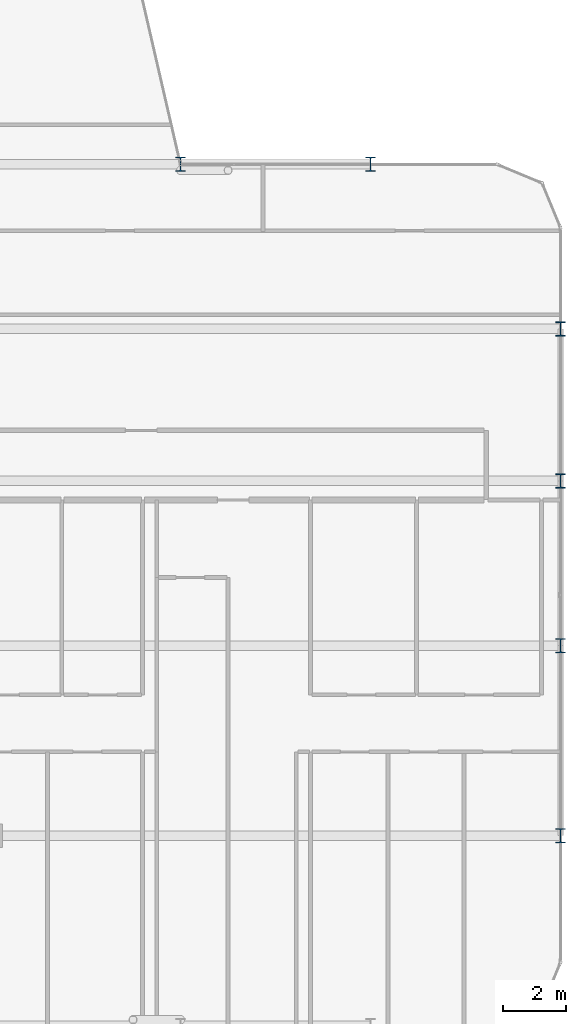
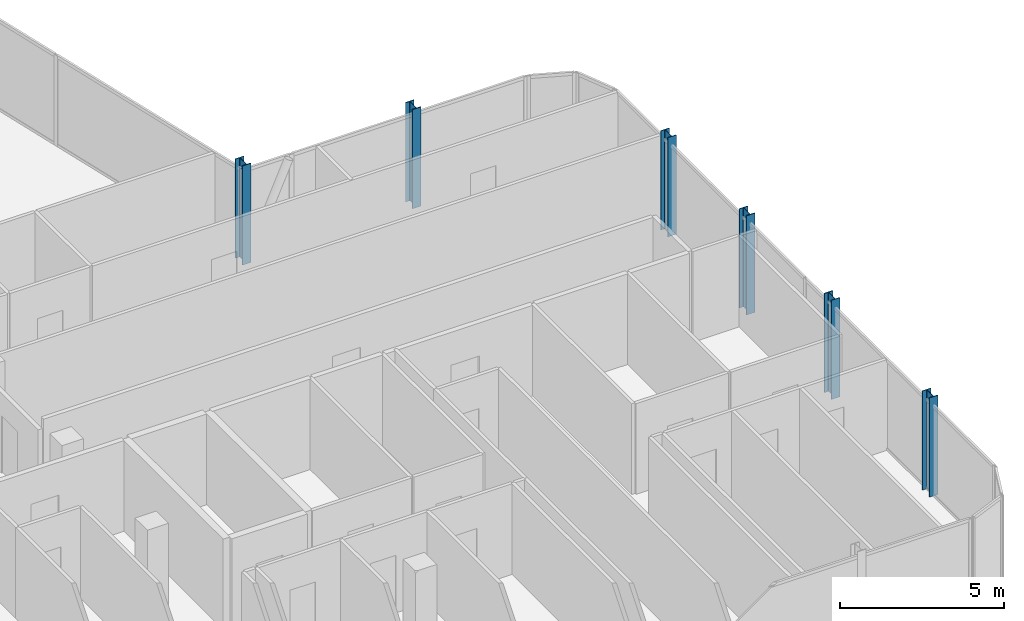
# One storey, part 2 of 29: 6 columns.
"""IFC4 building model written with IfcOpenShell, lengths in metres."""

import ifcopenshell
import ifcopenshell.guid

model = None  # the IFC model being written
_history = None  # IfcOwnerHistory: only IFC2X3 demands one
_inside = {}  # id of a spatial element -> (the spatial element, [elements in it])
_under = {}  # id of a project, library or spatial element -> (it, [spatial elements below it])
_declared = {}  # id of a project -> (the project, [libraries it declares])
_typed = {}  # id of a type object -> (the type object, [elements of that type])
_made_of = {}  # id of a material, layer set ... -> (it, [elements and type objects made of it])


def new_model(schema):
    """Start an empty IFC model of exactly this schema.

    Asked for "IFC4X3", IfcOpenShell would pick the latest addendum, in which some entities
    have other attributes; the version numbers below select the first issue.
    IFC2X3 requires an IfcOwnerHistory on every rooted entity: one is made here for all.
    """
    global model, _history
    if schema == "IFC4X3":
        model = ifcopenshell.file(schema_version=(4, 3, 0, 0))
    else:
        model = ifcopenshell.file(schema=schema)
    _inside.clear()
    _under.clear()
    _declared.clear()
    _typed.clear()
    _made_of.clear()
    _history = None
    if model.schema == "IFC2X3":
        org = make("IfcOrganization", Name="unknown")
        user = make(
            "IfcPersonAndOrganization",
            ThePerson=make("IfcPerson", FamilyName="unknown"),
            TheOrganization=org,
        )
        app = make(
            "IfcApplication",
            ApplicationDeveloper=org,
            Version="unknown",
            ApplicationFullName="unknown",
            ApplicationIdentifier="unknown",
        )
        _history = make(
            "IfcOwnerHistory",
            OwningUser=user,
            OwningApplication=app,
            ChangeAction="ADDED",
            CreationDate=0,
        )
    return model


def make(cls, **values):
    """One entity of the class cls with the attributes given. An attribute that is None is left unset."""
    return model.create_entity(
        cls, **{name: value for name, value in values.items() if value is not None}
    )


def rooted(cls, **values):
    """An entity with a GlobalId (a new one), such as an element, a storey or a relation."""
    return make(cls, GlobalId=ifcopenshell.guid.new(), OwnerHistory=_history, **values)


def si_unit(unit_type, name, prefix=None):
    """IfcSIUnit, for example si_unit("LENGTHUNIT", "METRE", prefix="MILLI")."""
    return make("IfcSIUnit", UnitType=unit_type, Prefix=prefix, Name=name)


def assignment(units):
    """IfcUnitAssignment: the units of a project."""
    return None if units is None else make("IfcUnitAssignment", Units=units)


def point(xyz):
    """IfcCartesianPoint."""
    return None if xyz is None else make("IfcCartesianPoint", Coordinates=xyz)


def direction(xyz):
    """IfcDirection."""
    return None if xyz is None else make("IfcDirection", DirectionRatios=xyz)


def frame(location, z_axis=None, x_axis=None):
    """IfcAxis2Placement3D, a coordinate frame: its origin and axes. An axis left out is left unset."""
    return make(
        "IfcAxis2Placement3D",
        Location=point(location),
        Axis=direction(z_axis),
        RefDirection=direction(x_axis),
    )


def frame_2d(location, x_axis=None):
    """IfcAxis2Placement2D, a coordinate frame in the plane: its origin and x axis."""
    return make(
        "IfcAxis2Placement2D", Location=point(location), RefDirection=direction(x_axis)
    )


def origin():
    """The frame at (0, 0, 0) with its axes left unset."""
    return frame((0.0, 0.0, 0.0))


def origin_2d():
    """The frame at (0, 0) in the plane with its x axis left unset."""
    return frame_2d((0.0, 0.0))


def place(relative_to, where):
    """IfcLocalPlacement: puts the frame where relative to a parent placement (None: the world)."""
    return make(
        "IfcLocalPlacement", PlacementRelTo=relative_to, RelativePlacement=where
    )


def context(
    kind, dimensions, precision=None, world=None, true_north=None, identifier=None
):
    """IfcGeometricRepresentationContext, for example the 3D "Model" context."""
    return make(
        "IfcGeometricRepresentationContext",
        ContextIdentifier=identifier,
        ContextType=kind,
        CoordinateSpaceDimension=dimensions,
        Precision=precision,
        WorldCoordinateSystem=world,
        TrueNorth=true_north,
    )


def subcontext(parent, identifier, kind, view, scale=None):
    """IfcGeometricRepresentationSubContext, for example "Body" below "Model"."""
    return make(
        "IfcGeometricRepresentationSubContext",
        ContextIdentifier=identifier,
        ContextType=kind,
        ParentContext=parent,
        TargetScale=scale,
        TargetView=view,
    )


def project(units=None, contexts=None):
    """IfcProject with its units and contexts."""
    return rooted(
        "IfcProject",
        Name="project",
        RepresentationContexts=contexts,
        UnitsInContext=assignment(units),
    )


def spatial(cls, under=None, at=None, **own):
    """A site, building, storey or space (cls), placed at a placement, below another one or the project."""
    s = rooted(cls, ObjectPlacement=at, **own)
    if under is not None:
        _under.setdefault(under.id(), (under, []))[1].append(s)
    return s


def profile(cls, at=None, kind="AREA", **sizes):
    """A parametric profile (cls). Its sizes go by their IFC names, for example OverallWidth=200.0."""
    return make(cls, ProfileType=kind, Position=at, **sizes)


def i_section(**sizes):
    """IfcIShapeProfileDef."""
    return profile("IfcIShapeProfileDef", **sizes)


def extrude(swept, where, along, depth):
    """IfcExtrudedAreaSolid: the profile swept, set in the frame where, extruded along a direction by depth."""
    return make(
        "IfcExtrudedAreaSolid",
        SweptArea=swept,
        Position=where,
        ExtrudedDirection=direction(along),
        Depth=depth,
    )


def shape(context_of_items, identifier, shape_type, items):
    """IfcShapeRepresentation: the items that make up one representation, for example the "Body"."""
    return make(
        "IfcShapeRepresentation",
        ContextOfItems=context_of_items,
        RepresentationIdentifier=identifier,
        RepresentationType=shape_type,
        Items=items,
    )


def material(Name=None, Category=None):
    """IfcMaterial."""
    return make("IfcMaterial", Name=Name, Category=Category)


def material_profile(
    of_material, cross_section, Name=None, Category=None, Priority=None
):
    """IfcMaterialProfile: a cross section and its material."""
    return make(
        "IfcMaterialProfile",
        Name=Name,
        Material=of_material,
        Profile=cross_section,
        Priority=Priority,
        Category=Category,
    )


def profile_set(profiles, Name=None, composite=None):
    """IfcMaterialProfileSet."""
    return make(
        "IfcMaterialProfileSet",
        Name=Name,
        MaterialProfiles=profiles,
        CompositeProfile=composite,
    )


def made_of(thing, what):
    """Note that an element or type object is made of a material, layer set ...; save() writes the relation."""
    if what is not None:
        _made_of.setdefault(what.id(), (what, []))[1].append(thing)
    return thing


def type_object(cls, material=None, **own):
    """A type object (cls), such as IfcWallType, which elements share."""
    return made_of(rooted(cls, **own), material)


def element(
    cls,
    number,
    at=None,
    inside=None,
    cuts=None,
    type_object=None,
    material=None,
    context=None,
    identifier="Body",
    shape_type=None,
    held_by="IfcProductDefinitionShape",
    body=None,
    shapes=None,
    **own,
):
    """One element of the class cls, such as IfcWall. Its Tag is "e" and its number.

    at: its placement. inside: the storey or other place that contains it. cuts: it is an
    opening in that element (IfcRelVoidsElement). A single representation is given by context,
    identifier, shape_type and body (its items); several are given by shapes. held_by: the class
    of the entity that holds the representations. save() writes the other relations.
    """
    e = rooted(cls, Tag="e%d" % number, ObjectPlacement=at, **own)
    if body is not None:
        shapes = [shape(context, identifier, shape_type, body)]
    if shapes is not None:
        e.Representation = make(held_by, Representations=shapes)
    if inside is not None:
        _inside.setdefault(inside.id(), (inside, []))[1].append(e)
    if cuts is not None:
        rooted(
            "IfcRelVoidsElement", RelatingBuildingElement=cuts, RelatedOpeningElement=e
        )
    if type_object is not None:
        _typed.setdefault(type_object.id(), (type_object, []))[1].append(e)
    return made_of(e, material)


def aggregate(whole, parts):
    """IfcRelAggregates: a whole, such as a stair, and the parts it consists of."""
    return rooted("IfcRelAggregates", RelatingObject=whole, RelatedObjects=parts)


def save(model, path):
    """Write the relations noted so far, then the file.

    IfcRelAggregates (storeys below a building ...), IfcRelContainedInSpatialStructure (elements
    in a storey), IfcRelDefinesByType, IfcRelAssociatesMaterial and IfcRelDeclares: one each for
    every whole, place, type object, material and project.
    """
    for whole, parts in _under.values():
        aggregate(whole, parts)
    for where, things in _inside.values():
        rooted(
            "IfcRelContainedInSpatialStructure",
            RelatedElements=things,
            RelatingStructure=where,
        )
    for kind, things in _typed.values():
        rooted("IfcRelDefinesByType", RelatedObjects=things, RelatingType=kind)
    for what, things in _made_of.values():
        rooted("IfcRelAssociatesMaterial", RelatedObjects=things, RelatingMaterial=what)
    for by, libraries in _declared.values():
        rooted("IfcRelDeclares", RelatingContext=by, RelatedDefinitions=libraries)
    model.write(path)


model = new_model("IFC4")

# Units and contexts
model_context = context("Model", 3, precision=1e-05, world=origin(), true_north=direction((0.0, 1.0)))
body_context = subcontext(model_context, "Body", "Model", "MODEL_VIEW")
ifc_project = project(units=[si_unit("LENGTHUNIT", "METRE"), si_unit("AREAUNIT", "SQUARE_METRE"), si_unit("VOLUMEUNIT", "CUBIC_METRE"), si_unit("PLANEANGLEUNIT", "RADIAN"), si_unit("MASSUNIT", "GRAM", prefix="KILO")], contexts=[model_context])

# Site, building, storey
site_placement = place(None, origin())
site = spatial("IfcSite", under=ifc_project, at=site_placement, CompositionType="ELEMENT")
building_placement = place(site_placement, origin())
building = spatial("IfcBuilding", under=site, at=building_placement, Name="Keshet Zoharim Tower", CompositionType="ELEMENT")
storey_placement = place(building_placement, frame((0.0, 0.0, 214.300048828125)))
storey = spatial("IfcBuildingStorey", under=building, at=storey_placement, Name="L53", CompositionType="ELEMENT", Elevation=214.300048828125)

# Columns
ifc_material = material(Name="Steel S355", Category="steel")
ifc_material_profile = material_profile(ifc_material, i_section(OverallWidth=0.300048828125, OverallDepth=0.449951171875, WebThickness=0.013916015625, FlangeThickness=0.02587890625, FilletRadius=0.027099609375, at=origin_2d()), Name="HEB450")
ifc_profile_set = profile_set([ifc_material_profile], Name="Steel S355")
column_type = type_object("IfcColumnType", Name="COL-HEB450", PredefinedType="COLUMN", material=ifc_profile_set)
for number, where, z_axis, x_axis, name in (
    (1, (45.0, 27.89990234375, 0.0), (0.0, 0.0, 1.0), (1.0, 0.0, 0.0), "L53 Column 8F"),
    (2, (51.0, 27.89990234375, 0.0), (0.0, 0.0, 1.0), (1.0, 0.0, 0.0), "L53 Column 9F"),
    (3, (57.0, 6.699951171875, 0.0), (0.0, 0.0, 1.0), (1.0, 0.0, 0.0), "L53 Column 10B"),
    (4, (57.0, 12.699951171875, 0.0), (0.0, 0.0, 1.0), (1.0, 0.0, 0.0), "L53 Column 10C"),
    (5, (57.0, 17.89990234375, 0.0), (0.0, 0.0, 1.0), (1.0, 0.0, 0.0), "L53 Column 10D"),
    (6, (57.0, 22.699951171875, 0.0), (0.0, 0.0, 1.0), (1.0, 0.0, 0.0), "L53 Column 10E"),
):
    element("IfcColumn", number, at=place(storey_placement, frame(where, z_axis=z_axis, x_axis=x_axis)), inside=storey, type_object=column_type, Name=name, PredefinedType="COLUMN", context=body_context, shape_type="SweptSolid", body=[
        extrude(i_section(OverallWidth=0.300048828125, OverallDepth=0.449951171875, WebThickness=0.013916015625, FlangeThickness=0.02587890625, FilletRadius=0.027099609375, at=origin_2d()), origin(), (0.0, 0.0, 1.0), 3.699951171875),
    ])

save(model, "model.ifc")
